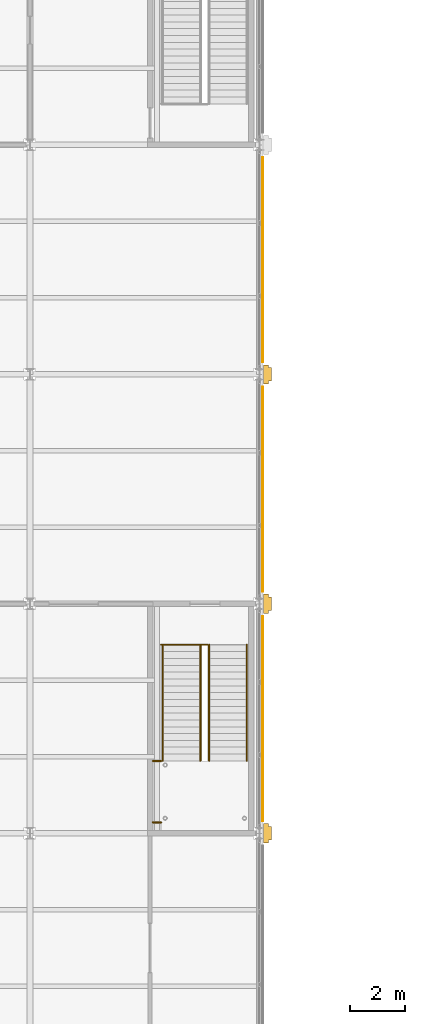
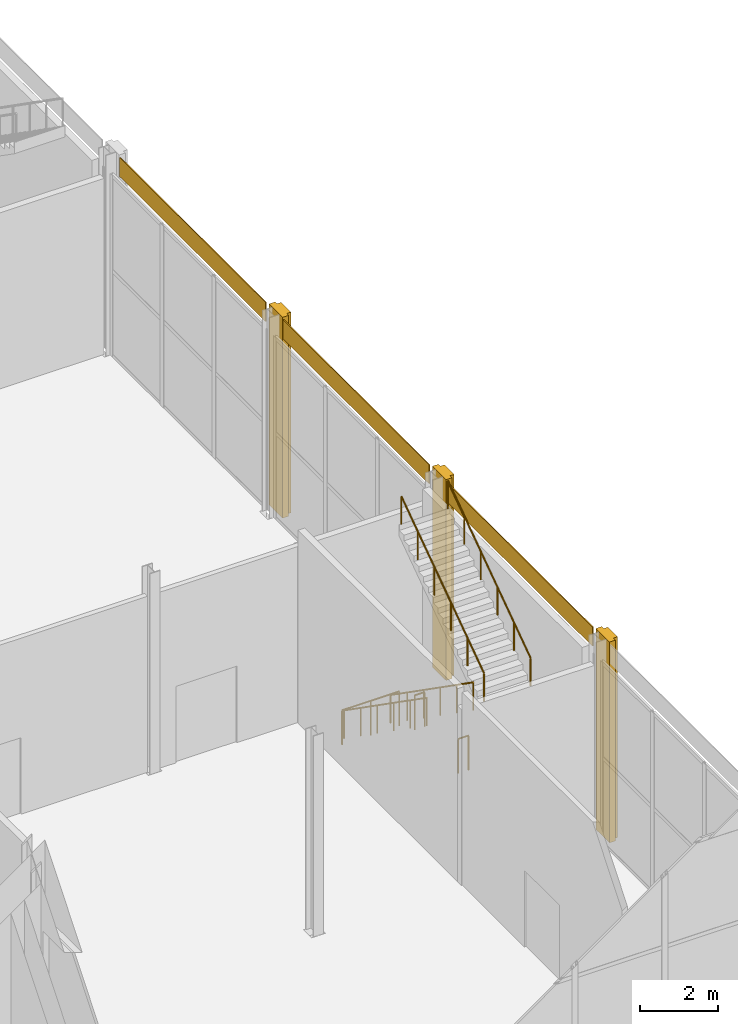
# One storey, part 74 of 77: 7 railings, 6 coverings.
"""IFC4 building model written with IfcOpenShell, lengths in metres."""

from ifc_helpers import new_model, si_unit, direction, frame, origin, origin_2d, place, context, subcontext, project, spatial, polyline, rectangle, circle, outline, extrude, material, layer, layer_set, type_object, element, save


model = new_model("IFC4")

# Units and contexts
model_context = context("Model", 3, precision=1e-05, world=origin(), true_north=direction((0.0, 1.0)))
body_context = subcontext(model_context, "Body", "Model", "MODEL_VIEW")
ifc_project = project(units=[si_unit("LENGTHUNIT", "METRE"), si_unit("AREAUNIT", "SQUARE_METRE"), si_unit("VOLUMEUNIT", "CUBIC_METRE"), si_unit("PLANEANGLEUNIT", "RADIAN"), si_unit("MASSUNIT", "GRAM", prefix="KILO")], contexts=[model_context])

# Site, building, storey
site_placement = place(None, origin())
site = spatial("IfcSite", under=ifc_project, at=site_placement, CompositionType="ELEMENT")
building_placement = place(site_placement, origin())
building = spatial("IfcBuilding", under=site, at=building_placement, Name="Catenary Quay Ferry Terminal", CompositionType="ELEMENT")
storey_placement = place(building_placement, frame((0.0, 0.0, 10.800048828125)))
storey = spatial("IfcBuildingStorey", under=building, at=storey_placement, Name="L02", CompositionType="ELEMENT", Elevation=10.800048828125)

# Coverings
ifc_material_1 = material(Name="Ceramic tile")
ifc_layer_1 = layer(ifc_material_1, 0.0400390625)
ifc_layer_set_1 = layer_set([ifc_layer_1], Name="CL2")
covering_type_1 = type_object("IfcCoveringType", Name="CL2", PredefinedType="CLADDING", material=ifc_layer_set_1)
covering_1_placement = place(storey_placement, origin())
element("IfcCovering", 1, at=covering_1_placement, inside=storey, type_object=covering_type_1, Name="Ceramic pier casing", PredefinedType="CLADDING", context=body_context, shape_type="SweptSolid", body=[
    extrude(outline(polyline([(67.35009765625, 167.64990234375), (67.530029296875, 167.64990234375), (67.530029296875, 167.75), (67.64990234375, 167.75), (67.64990234375, 168.25), (67.530029296875, 168.25), (67.530029296875, 168.35009765625), (67.35009765625, 168.35009765625), (67.35009765625, 167.64990234375)])), origin(), (0.0, 0.0, 1.0), 6.300048828125),
])
covering_2_placement = place(storey_placement, origin())
element("IfcCovering", 2, at=covering_2_placement, inside=storey, type_object=covering_type_1, Name="Ceramic pier casing", PredefinedType="CLADDING", context=body_context, shape_type="SweptSolid", body=[
    extrude(outline(polyline([(67.35009765625, 176.050048828125), (67.530029296875, 176.050048828125), (67.530029296875, 176.14990234375), (67.64990234375, 176.14990234375), (67.64990234375, 176.64990234375), (67.530029296875, 176.64990234375), (67.530029296875, 176.75), (67.35009765625, 176.75), (67.35009765625, 176.050048828125)])), origin(), (0.0, 0.0, 1.0), 6.300048828125),
])
covering_3_placement = place(storey_placement, origin())
element("IfcCovering", 3, at=covering_3_placement, inside=storey, type_object=covering_type_1, Name="Ceramic pier casing", PredefinedType="CLADDING", context=body_context, shape_type="SweptSolid", body=[
    extrude(outline(polyline([(67.35009765625, 184.449951171875), (67.530029296875, 184.449951171875), (67.530029296875, 184.550048828125), (67.64990234375, 184.550048828125), (67.64990234375, 185.050048828125), (67.530029296875, 185.050048828125), (67.530029296875, 185.14990234375), (67.35009765625, 185.14990234375), (67.35009765625, 184.449951171875)])), origin(), (0.0, 0.0, 1.0), 6.300048828125),
])
ifc_material_2 = material(Name="Glazed ceramic tile, ochre")
ifc_layer_2 = layer(ifc_material_2, 0.030029296875)
ifc_layer_set_2 = layer_set([ifc_layer_2], Name="CL6")
covering_type_2 = type_object("IfcCoveringType", Name="CL6", PredefinedType="CLADDING", material=ifc_layer_set_2)
for number, where, z_axis, x_axis, name in (
    (4, (67.3193359375, 172.199951171875, 5.699951171875), (0.0, 0.0, 1.0), (1.0, 0.0, 0.0), "Band wing v67.2 cladding CV327"),
    (5, (67.3193359375, 180.60009765625, 5.699951171875), (0.0, 0.0, 1.0), (1.0, 0.0, 0.0), "Band wing v67.2 cladding CV328"),
    (6, (67.3193359375, 189.0, 5.699951171875), (0.0, 0.0, 1.0), (1.0, 0.0, 0.0), "Band wing v67.2 cladding CV329"),
):
    element("IfcCovering", number, at=place(storey_placement, frame(where, z_axis=z_axis, x_axis=x_axis)), inside=storey, type_object=covering_type_2, Name=name, PredefinedType="CLADDING", context=body_context, shape_type="SweptSolid", body=[
        extrude(rectangle(XDim=0.030029296875, YDim=7.5, at=origin_2d()), origin(), (0.0, 0.0, 1.0), 0.60009765625),
    ])

# Railings
ifc_material_3 = material(Name="Steel and glass", Category="steel")
railing_type_1 = type_object("IfcRailingType", Name="GI1", PredefinedType="GUARDRAIL", material=ifc_material_3)
railing_1_placement = place(storey_placement, frame((63.60009765625, 174.89990234375, 0.0)))
element("IfcRailing", 7, at=railing_1_placement, inside=storey, type_object=railing_type_1, Name="HS3 well guard GI191", PredefinedType="GUARDRAIL", context=body_context, shape_type="SweptSolid", body=[
    extrude(circle(Radius=0.02392578125, at=origin_2d()), frame((0.0, 0.0, 1.076171875), z_axis=(1.0, 0.0, 0.0), x_axis=(0.0, 1.0, 0.0)), (0.0, 0.0, 1.0), 1.699951171875),
    extrude(circle(Radius=0.02099609375, at=origin_2d()), origin(), (0.0, 0.0, 1.0), 1.052001953125),
    extrude(circle(Radius=0.02099609375, at=origin_2d()), frame((0.85009765625, 0.0, 0.0)), (0.0, 0.0, 1.0), 1.052001953125),
    extrude(circle(Radius=0.02099609375, at=origin_2d()), frame((1.699951171875, 0.0, 0.0)), (0.0, 0.0, 1.0), 1.052001953125),
])
railing_2_placement = place(storey_placement, frame((63.300048828125, 170.64990234375, 3.14990234375)))
element("IfcRailing", 8, at=railing_2_placement, inside=storey, type_object=railing_type_1, Name="HS3 strip 0 guard GI204", PredefinedType="GUARDRAIL", context=body_context, shape_type="SweptSolid", body=[
    extrude(circle(Radius=0.02392578125, at=origin_2d()), frame((0.0, 0.0, 1.076171875), z_axis=(1.0, 0.0, 0.0), x_axis=(0.0, 1.0, 0.0)), (0.0, 0.0, 1.0), 0.2998046875),
    extrude(circle(Radius=0.02099609375, at=origin_2d()), origin(), (0.0, 0.0, 1.0), 1.052001953125),
    extrude(circle(Radius=0.02099609375, at=origin_2d()), frame((0.2998046875, 0.0, 0.0)), (0.0, 0.0, 1.0), 1.052001953125),
])
railing_3_placement = place(storey_placement, frame((63.599853515625, 168.39990234375, 3.14990234375)))
element("IfcRailing", 9, at=railing_3_placement, inside=storey, type_object=railing_type_1, Name="HS3 strip 0 guard GI205", PredefinedType="GUARDRAIL", context=body_context, shape_type="SweptSolid", body=[
    extrude(circle(Radius=0.02392578125, at=origin_2d()), frame((0.0, 0.0, 1.076171875), z_axis=(-1.0, 0.0, 0.0), x_axis=(0.0, -1.0, 0.0)), (0.0, 0.0, 1.0), 0.2998046875),
    extrude(circle(Radius=0.02099609375, at=origin_2d()), origin(), (0.0, 0.0, 1.0), 1.052001953125),
    extrude(circle(Radius=0.02099609375, at=origin_2d()), frame((-0.2998046875, 0.0, 0.0)), (0.0, 0.0, 1.0), 1.052001953125),
])
ifc_material_4 = material(Name="Stainless steel", Category="steel")
railing_type_2 = type_object("IfcRailingType", Name="HR1", PredefinedType="HANDRAIL", material=ifc_material_4)
for number, where, name in (
    (10, (63.659912109375, 174.89990234375, 0.175048828125), "HS3 F1A handrail HR199"),
    (11, (65.0400390625, 174.89990234375, 0.175048828125), "HS3 F1B handrail HR200"),
):
    element("IfcRailing", number, at=place(storey_placement, frame(where)), inside=storey, type_object=railing_type_2, Name=name, PredefinedType="HANDRAIL", context=body_context, shape_type="SweptSolid", body=[
        extrude(circle(Radius=0.02392578125, at=origin_2d()), frame((0.0, 0.0, 0.8759765625), z_axis=(0.0, -0.819245185935, 0.573443393303), x_axis=(1.0, 0.0, 0.0)), (0.0, 0.0, 1.0), 5.187744140625),
        extrude(circle(Radius=0.02099609375, at=origin_2d()), origin(), (0.0, 0.0, 1.0), 0.851806640625),
        extrude(circle(Radius=0.02099609375, at=origin_2d()), frame((0.0, -0.85009765625, 0.594970703125)), (0.0, 0.0, 1.0), 0.851806640625),
        extrude(circle(Radius=0.02099609375, at=origin_2d()), frame((0.0, -1.699951171875, 1.18994140625)), (0.0, 0.0, 1.0), 0.851806640625),
        extrude(circle(Radius=0.02099609375, at=origin_2d()), frame((0.0, -2.550048828125, 1.784912109375)), (0.0, 0.0, 1.0), 0.851806640625),
        extrude(circle(Radius=0.02099609375, at=origin_2d()), frame((0.0, -3.39990234375, 2.3798828125)), (0.0, 0.0, 1.0), 0.851806640625),
        extrude(circle(Radius=0.02099609375, at=origin_2d()), frame((0.0, -4.25, 2.974853515625)), (0.0, 0.0, 1.0), 0.851806640625),
    ])
for number, where, name in (
    (12, (65.360107421875, 170.64990234375, 3.324951171875), "HS3 F2A handrail HR201"),
    (13, (66.739990234375, 170.64990234375, 3.324951171875), "HS3 F2B handrail HR202"),
):
    element("IfcRailing", number, at=place(storey_placement, frame(where)), inside=storey, type_object=railing_type_2, Name=name, PredefinedType="HANDRAIL", context=body_context, shape_type="SweptSolid", body=[
        extrude(circle(Radius=0.02392578125, at=origin_2d()), frame((0.0, 0.0, 0.8759765625), z_axis=(0.0, 0.819223076904, 0.573474977892), x_axis=(-1.0, 0.0, 0.0)), (0.0, 0.0, 1.0), 5.187744140625),
        extrude(circle(Radius=0.02099609375, at=origin_2d()), origin(), (0.0, 0.0, 1.0), 0.851806640625),
        extrude(circle(Radius=0.02099609375, at=origin_2d()), frame((0.0, 0.85009765625, 0.594970703125)), (0.0, 0.0, 1.0), 0.851806640625),
        extrude(circle(Radius=0.02099609375, at=origin_2d()), frame((0.0, 1.699951171875, 1.18994140625)), (0.0, 0.0, 1.0), 0.851806640625),
        extrude(circle(Radius=0.02099609375, at=origin_2d()), frame((0.0, 2.550048828125, 1.78515625)), (0.0, 0.0, 1.0), 0.851806640625),
        extrude(circle(Radius=0.02099609375, at=origin_2d()), frame((0.0, 3.39990234375, 2.380126953125)), (0.0, 0.0, 1.0), 0.851806640625),
        extrude(circle(Radius=0.02099609375, at=origin_2d()), frame((0.0, 4.25, 2.97509765625)), (0.0, 0.0, 1.0), 0.851806640625),
    ])

save(model, "model.ifc")
